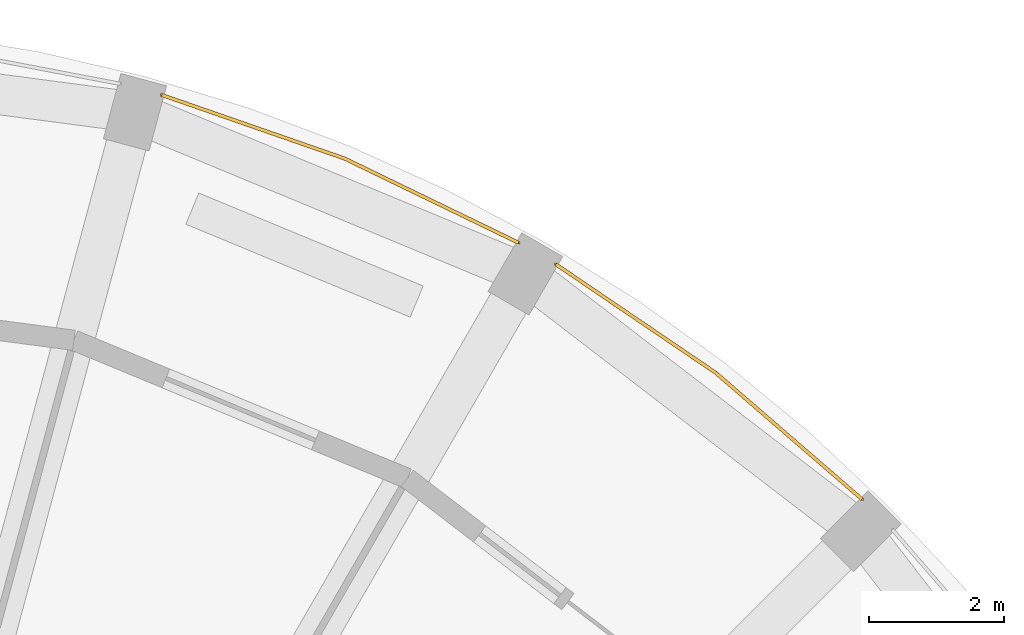
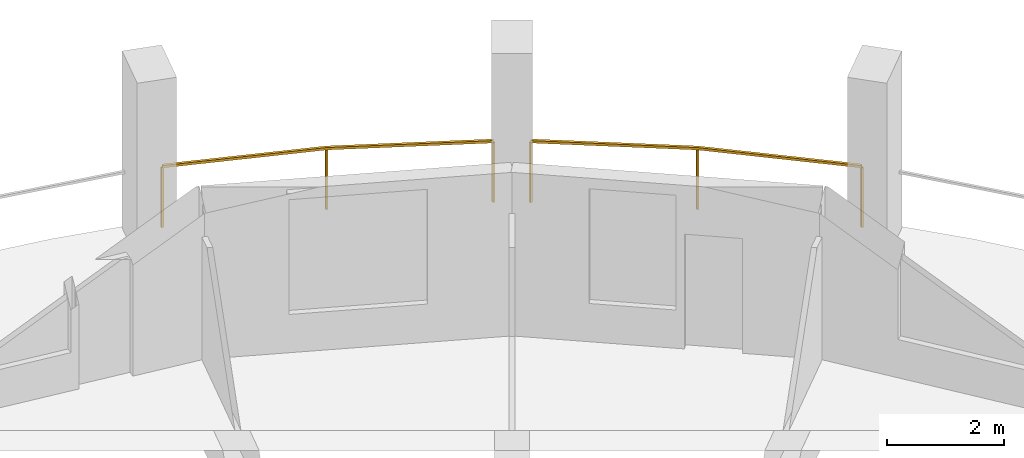
# One storey, part 9 of 9: 2 railings.
"""IFC4 building model written with IfcOpenShell, lengths in metres."""

import ifcopenshell
import ifcopenshell.guid

model = None  # the IFC model being written
_history = None  # IfcOwnerHistory: only IFC2X3 demands one
_inside = {}  # id of a spatial element -> (the spatial element, [elements in it])
_under = {}  # id of a project, library or spatial element -> (it, [spatial elements below it])
_declared = {}  # id of a project -> (the project, [libraries it declares])
_typed = {}  # id of a type object -> (the type object, [elements of that type])
_made_of = {}  # id of a material, layer set ... -> (it, [elements and type objects made of it])


def new_model(schema):
    """Start an empty IFC model of exactly this schema.

    Asked for "IFC4X3", IfcOpenShell would pick the latest addendum, in which some entities
    have other attributes; the version numbers below select the first issue.
    IFC2X3 requires an IfcOwnerHistory on every rooted entity: one is made here for all.
    """
    global model, _history
    if schema == "IFC4X3":
        model = ifcopenshell.file(schema_version=(4, 3, 0, 0))
    else:
        model = ifcopenshell.file(schema=schema)
    _inside.clear()
    _under.clear()
    _declared.clear()
    _typed.clear()
    _made_of.clear()
    _history = None
    if model.schema == "IFC2X3":
        org = make("IfcOrganization", Name="unknown")
        user = make(
            "IfcPersonAndOrganization",
            ThePerson=make("IfcPerson", FamilyName="unknown"),
            TheOrganization=org,
        )
        app = make(
            "IfcApplication",
            ApplicationDeveloper=org,
            Version="unknown",
            ApplicationFullName="unknown",
            ApplicationIdentifier="unknown",
        )
        _history = make(
            "IfcOwnerHistory",
            OwningUser=user,
            OwningApplication=app,
            ChangeAction="ADDED",
            CreationDate=0,
        )
    return model


def make(cls, **values):
    """One entity of the class cls with the attributes given. An attribute that is None is left unset."""
    return model.create_entity(
        cls, **{name: value for name, value in values.items() if value is not None}
    )


def rooted(cls, **values):
    """An entity with a GlobalId (a new one), such as an element, a storey or a relation."""
    return make(cls, GlobalId=ifcopenshell.guid.new(), OwnerHistory=_history, **values)


def si_unit(unit_type, name, prefix=None):
    """IfcSIUnit, for example si_unit("LENGTHUNIT", "METRE", prefix="MILLI")."""
    return make("IfcSIUnit", UnitType=unit_type, Prefix=prefix, Name=name)


def assignment(units):
    """IfcUnitAssignment: the units of a project."""
    return None if units is None else make("IfcUnitAssignment", Units=units)


def point(xyz):
    """IfcCartesianPoint."""
    return None if xyz is None else make("IfcCartesianPoint", Coordinates=xyz)


def direction(xyz):
    """IfcDirection."""
    return None if xyz is None else make("IfcDirection", DirectionRatios=xyz)


def frame(location, z_axis=None, x_axis=None):
    """IfcAxis2Placement3D, a coordinate frame: its origin and axes. An axis left out is left unset."""
    return make(
        "IfcAxis2Placement3D",
        Location=point(location),
        Axis=direction(z_axis),
        RefDirection=direction(x_axis),
    )


def frame_2d(location, x_axis=None):
    """IfcAxis2Placement2D, a coordinate frame in the plane: its origin and x axis."""
    return make(
        "IfcAxis2Placement2D", Location=point(location), RefDirection=direction(x_axis)
    )


def origin():
    """The frame at (0, 0, 0) with its axes left unset."""
    return frame((0.0, 0.0, 0.0))


def origin_2d():
    """The frame at (0, 0) in the plane with its x axis left unset."""
    return frame_2d((0.0, 0.0))


def place(relative_to, where):
    """IfcLocalPlacement: puts the frame where relative to a parent placement (None: the world)."""
    return make(
        "IfcLocalPlacement", PlacementRelTo=relative_to, RelativePlacement=where
    )


def context(
    kind, dimensions, precision=None, world=None, true_north=None, identifier=None
):
    """IfcGeometricRepresentationContext, for example the 3D "Model" context."""
    return make(
        "IfcGeometricRepresentationContext",
        ContextIdentifier=identifier,
        ContextType=kind,
        CoordinateSpaceDimension=dimensions,
        Precision=precision,
        WorldCoordinateSystem=world,
        TrueNorth=true_north,
    )


def subcontext(parent, identifier, kind, view, scale=None):
    """IfcGeometricRepresentationSubContext, for example "Body" below "Model"."""
    return make(
        "IfcGeometricRepresentationSubContext",
        ContextIdentifier=identifier,
        ContextType=kind,
        ParentContext=parent,
        TargetScale=scale,
        TargetView=view,
    )


def project(units=None, contexts=None):
    """IfcProject with its units and contexts."""
    return rooted(
        "IfcProject",
        Name="project",
        RepresentationContexts=contexts,
        UnitsInContext=assignment(units),
    )


def spatial(cls, under=None, at=None, **own):
    """A site, building, storey or space (cls), placed at a placement, below another one or the project."""
    s = rooted(cls, ObjectPlacement=at, **own)
    if under is not None:
        _under.setdefault(under.id(), (under, []))[1].append(s)
    return s


def profile(cls, at=None, kind="AREA", **sizes):
    """A parametric profile (cls). Its sizes go by their IFC names, for example OverallWidth=200.0."""
    return make(cls, ProfileType=kind, Position=at, **sizes)


def rectangle(**sizes):
    """IfcRectangleProfileDef."""
    return profile("IfcRectangleProfileDef", **sizes)


def extrude(swept, where, along, depth):
    """IfcExtrudedAreaSolid: the profile swept, set in the frame where, extruded along a direction by depth."""
    return make(
        "IfcExtrudedAreaSolid",
        SweptArea=swept,
        Position=where,
        ExtrudedDirection=direction(along),
        Depth=depth,
    )


def shape(context_of_items, identifier, shape_type, items):
    """IfcShapeRepresentation: the items that make up one representation, for example the "Body"."""
    return make(
        "IfcShapeRepresentation",
        ContextOfItems=context_of_items,
        RepresentationIdentifier=identifier,
        RepresentationType=shape_type,
        Items=items,
    )


def material(Name=None, Category=None):
    """IfcMaterial."""
    return make("IfcMaterial", Name=Name, Category=Category)


def made_of(thing, what):
    """Note that an element or type object is made of a material, layer set ...; save() writes the relation."""
    if what is not None:
        _made_of.setdefault(what.id(), (what, []))[1].append(thing)
    return thing


def type_object(cls, material=None, **own):
    """A type object (cls), such as IfcWallType, which elements share."""
    return made_of(rooted(cls, **own), material)


def element(
    cls,
    number,
    at=None,
    inside=None,
    cuts=None,
    type_object=None,
    material=None,
    context=None,
    identifier="Body",
    shape_type=None,
    held_by="IfcProductDefinitionShape",
    body=None,
    shapes=None,
    **own,
):
    """One element of the class cls, such as IfcWall. Its Tag is "e" and its number.

    at: its placement. inside: the storey or other place that contains it. cuts: it is an
    opening in that element (IfcRelVoidsElement). A single representation is given by context,
    identifier, shape_type and body (its items); several are given by shapes. held_by: the class
    of the entity that holds the representations. save() writes the other relations.
    """
    e = rooted(cls, Tag="e%d" % number, ObjectPlacement=at, **own)
    if body is not None:
        shapes = [shape(context, identifier, shape_type, body)]
    if shapes is not None:
        e.Representation = make(held_by, Representations=shapes)
    if inside is not None:
        _inside.setdefault(inside.id(), (inside, []))[1].append(e)
    if cuts is not None:
        rooted(
            "IfcRelVoidsElement", RelatingBuildingElement=cuts, RelatedOpeningElement=e
        )
    if type_object is not None:
        _typed.setdefault(type_object.id(), (type_object, []))[1].append(e)
    return made_of(e, material)


def aggregate(whole, parts):
    """IfcRelAggregates: a whole, such as a stair, and the parts it consists of."""
    return rooted("IfcRelAggregates", RelatingObject=whole, RelatedObjects=parts)


def save(model, path):
    """Write the relations noted so far, then the file.

    IfcRelAggregates (storeys below a building ...), IfcRelContainedInSpatialStructure (elements
    in a storey), IfcRelDefinesByType, IfcRelAssociatesMaterial and IfcRelDeclares: one each for
    every whole, place, type object, material and project.
    """
    for whole, parts in _under.values():
        aggregate(whole, parts)
    for where, things in _inside.values():
        rooted(
            "IfcRelContainedInSpatialStructure",
            RelatedElements=things,
            RelatingStructure=where,
        )
    for kind, things in _typed.values():
        rooted("IfcRelDefinesByType", RelatedObjects=things, RelatingType=kind)
    for what, things in _made_of.values():
        rooted("IfcRelAssociatesMaterial", RelatedObjects=things, RelatingMaterial=what)
    for by, libraries in _declared.values():
        rooted("IfcRelDeclares", RelatingContext=by, RelatedDefinitions=libraries)
    model.write(path)


model = new_model("IFC4")

# Units and contexts
model_context = context("Model", 3, precision=1e-05, world=origin(), true_north=direction((0.0, 1.0)))
body_context = subcontext(model_context, "Body", "Model", "MODEL_VIEW")
ifc_project = project(units=[si_unit("LENGTHUNIT", "METRE"), si_unit("AREAUNIT", "SQUARE_METRE"), si_unit("VOLUMEUNIT", "CUBIC_METRE"), si_unit("PLANEANGLEUNIT", "RADIAN"), si_unit("MASSUNIT", "GRAM", prefix="KILO")], contexts=[model_context])

# Site, building, storey
site_placement = place(None, origin())
site = spatial("IfcSite", under=ifc_project, at=site_placement, CompositionType="ELEMENT")
building_placement = place(site_placement, origin())
building = spatial("IfcBuilding", under=site, at=building_placement, Name="Torre Triforio", CompositionType="ELEMENT")
storey_placement = place(building_placement, frame((0.0, 0.0, 237.199951171875)))
storey = spatial("IfcBuildingStorey", under=building, at=storey_placement, Name="L54", CompositionType="ELEMENT", Elevation=237.199951171875)

# Railings
ifc_material = material(Name="Stainless steel AISI 316", Category="steel")
railing_type = type_object("IfcRailingType", Name="Loggia guard 1300", PredefinedType="GUARDRAIL", material=ifc_material)
railing_1_placement = place(storey_placement, frame((16.99169921875, 17.4443359375, 0.0)))
element("IfcRailing", 1, at=railing_1_placement, inside=storey, type_object=railing_type, Name="Loggia guard L54 bay 04", PredefinedType="GUARDRAIL", context=body_context, shape_type="SweptSolid", body=[
    extrude(rectangle(XDim=0.050048828125, YDim=0.050048828125, at=origin_2d()), frame((0.0, 0.0, 1.27490234375), z_axis=(-0.756646755422, 0.653823896404, 0.0), x_axis=(-0.653823896404, -0.756646755422, 0.0)), (0.0, 0.0, 1.0), 2.865966796875),
    extrude(rectangle(XDim=0.050048828125, YDim=0.050048828125, at=origin_2d()), frame((-2.16845703125, 1.873779296875, 1.27490234375), z_axis=(-0.827368322727, 0.561659735558, 0.0), x_axis=(-0.561659735558, -0.827368322727, 0.0)), (0.0, 0.0, 1.0), 2.86572265625),
    extrude(rectangle(XDim=0.0400390625, YDim=0.0400390625, at=origin_2d()), origin(), (0.0, 0.0, 1.0), 1.25),
    extrude(rectangle(XDim=0.0400390625, YDim=0.0400390625, at=origin_2d()), frame((-2.16845703125, 1.873779296875, 0.0)), (0.0, 0.0, 1.0), 1.25),
    extrude(rectangle(XDim=0.0400390625, YDim=0.0400390625, at=origin_2d()), frame((-4.53955078125, 3.4833984375, 0.0)), (0.0, 0.0, 1.0), 1.25),
])
railing_2_placement = place(storey_placement, frame((11.89794921875, 21.247802734375, 0.0)))
element("IfcRailing", 2, at=railing_2_placement, inside=storey, type_object=railing_type, Name="Loggia guard L54 bay 05", PredefinedType="GUARDRAIL", context=body_context, shape_type="SweptSolid", body=[
    extrude(rectangle(XDim=0.050048828125, YDim=0.050048828125, at=origin_2d()), frame((0.0, 0.0, 1.27490234375), z_axis=(-0.900078431046, 0.435727917358, 0.0), x_axis=(-0.435727917358, -0.900078431046, 0.0)), (0.0, 0.0, 1.0), 2.865966796875),
    extrude(rectangle(XDim=0.050048828125, YDim=0.050048828125, at=origin_2d()), frame((-2.57958984375, 1.248779296875, 1.27490234375), z_axis=(-0.944568028123, 0.328315763022, 0.0), x_axis=(-0.328315763022, -0.944568028123, 0.0)), (0.0, 0.0, 1.0), 2.865966796875),
    extrude(rectangle(XDim=0.0400390625, YDim=0.0400390625, at=origin_2d()), origin(), (0.0, 0.0, 1.0), 1.25),
    extrude(rectangle(XDim=0.0400390625, YDim=0.0400390625, at=origin_2d()), frame((-2.57958984375, 1.248779296875, 0.0)), (0.0, 0.0, 1.0), 1.25),
    extrude(rectangle(XDim=0.0400390625, YDim=0.0400390625, at=origin_2d()), frame((-5.28662109375, 2.189697265625, 0.0)), (0.0, 0.0, 1.0), 1.25),
])

save(model, "model.ifc")
